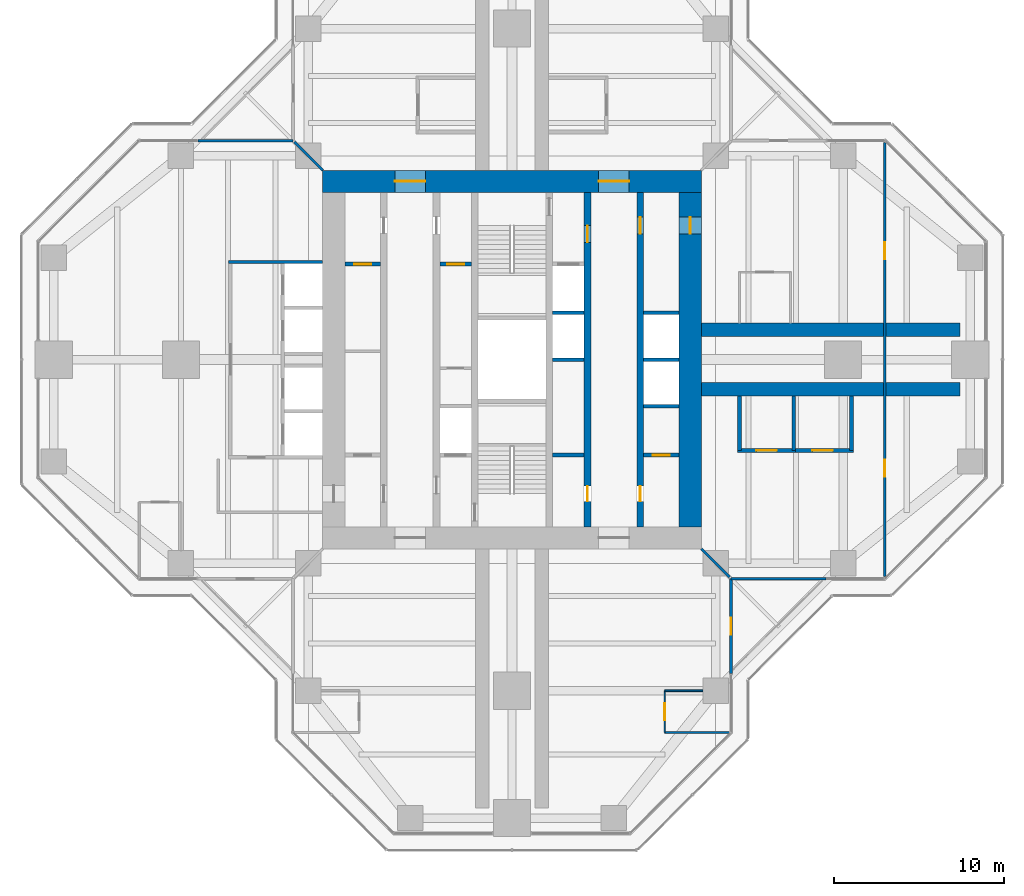
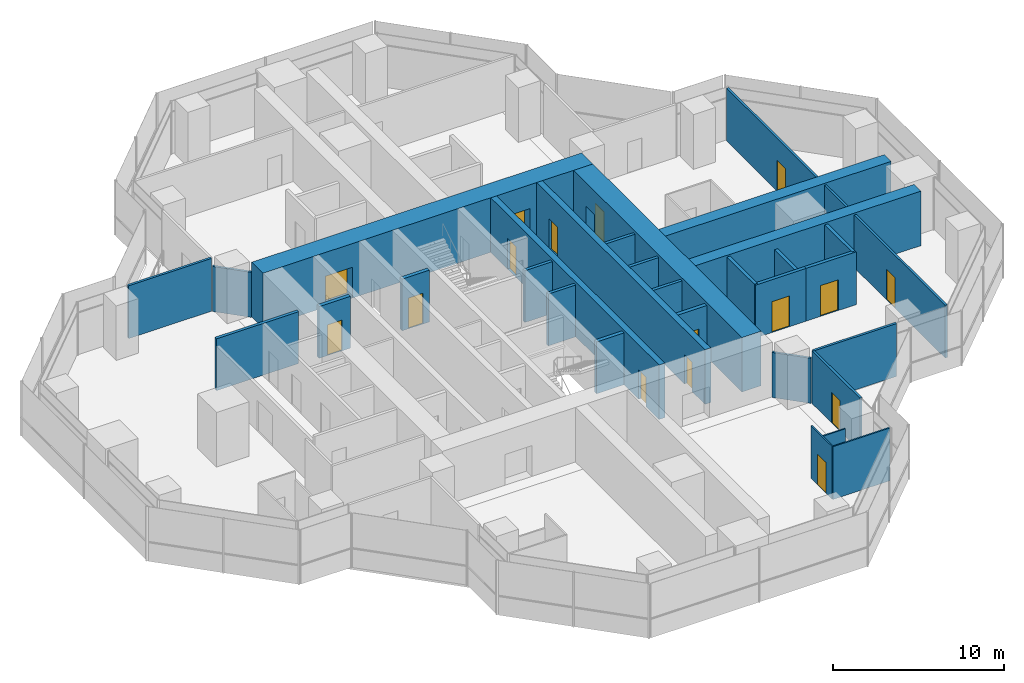
# One storey, part 14 of 17: 30 walls, 16 doors, 16 openings.
"""IFC4 building model written with IfcOpenShell, lengths in metres."""

import ifcopenshell
import ifcopenshell.guid

model = None  # the IFC model being written
_history = None  # IfcOwnerHistory: only IFC2X3 demands one
_inside = {}  # id of a spatial element -> (the spatial element, [elements in it])
_under = {}  # id of a project, library or spatial element -> (it, [spatial elements below it])
_declared = {}  # id of a project -> (the project, [libraries it declares])
_typed = {}  # id of a type object -> (the type object, [elements of that type])
_made_of = {}  # id of a material, layer set ... -> (it, [elements and type objects made of it])


def new_model(schema):
    """Start an empty IFC model of exactly this schema.

    Asked for "IFC4X3", IfcOpenShell would pick the latest addendum, in which some entities
    have other attributes; the version numbers below select the first issue.
    IFC2X3 requires an IfcOwnerHistory on every rooted entity: one is made here for all.
    """
    global model, _history
    if schema == "IFC4X3":
        model = ifcopenshell.file(schema_version=(4, 3, 0, 0))
    else:
        model = ifcopenshell.file(schema=schema)
    _inside.clear()
    _under.clear()
    _declared.clear()
    _typed.clear()
    _made_of.clear()
    _history = None
    if model.schema == "IFC2X3":
        org = make("IfcOrganization", Name="unknown")
        user = make(
            "IfcPersonAndOrganization",
            ThePerson=make("IfcPerson", FamilyName="unknown"),
            TheOrganization=org,
        )
        app = make(
            "IfcApplication",
            ApplicationDeveloper=org,
            Version="unknown",
            ApplicationFullName="unknown",
            ApplicationIdentifier="unknown",
        )
        _history = make(
            "IfcOwnerHistory",
            OwningUser=user,
            OwningApplication=app,
            ChangeAction="ADDED",
            CreationDate=0,
        )
    return model


def make(cls, **values):
    """One entity of the class cls with the attributes given. An attribute that is None is left unset."""
    return model.create_entity(
        cls, **{name: value for name, value in values.items() if value is not None}
    )


def rooted(cls, **values):
    """An entity with a GlobalId (a new one), such as an element, a storey or a relation."""
    return make(cls, GlobalId=ifcopenshell.guid.new(), OwnerHistory=_history, **values)


def si_unit(unit_type, name, prefix=None):
    """IfcSIUnit, for example si_unit("LENGTHUNIT", "METRE", prefix="MILLI")."""
    return make("IfcSIUnit", UnitType=unit_type, Prefix=prefix, Name=name)


def assignment(units):
    """IfcUnitAssignment: the units of a project."""
    return None if units is None else make("IfcUnitAssignment", Units=units)


def point(xyz):
    """IfcCartesianPoint."""
    return None if xyz is None else make("IfcCartesianPoint", Coordinates=xyz)


def direction(xyz):
    """IfcDirection."""
    return None if xyz is None else make("IfcDirection", DirectionRatios=xyz)


def frame(location, z_axis=None, x_axis=None):
    """IfcAxis2Placement3D, a coordinate frame: its origin and axes. An axis left out is left unset."""
    return make(
        "IfcAxis2Placement3D",
        Location=point(location),
        Axis=direction(z_axis),
        RefDirection=direction(x_axis),
    )


def frame_2d(location, x_axis=None):
    """IfcAxis2Placement2D, a coordinate frame in the plane: its origin and x axis."""
    return make(
        "IfcAxis2Placement2D", Location=point(location), RefDirection=direction(x_axis)
    )


def origin():
    """The frame at (0, 0, 0) with its axes left unset."""
    return frame((0.0, 0.0, 0.0))


def place(relative_to, where):
    """IfcLocalPlacement: puts the frame where relative to a parent placement (None: the world)."""
    return make(
        "IfcLocalPlacement", PlacementRelTo=relative_to, RelativePlacement=where
    )


def context(
    kind, dimensions, precision=None, world=None, true_north=None, identifier=None
):
    """IfcGeometricRepresentationContext, for example the 3D "Model" context."""
    return make(
        "IfcGeometricRepresentationContext",
        ContextIdentifier=identifier,
        ContextType=kind,
        CoordinateSpaceDimension=dimensions,
        Precision=precision,
        WorldCoordinateSystem=world,
        TrueNorth=true_north,
    )


def subcontext(parent, identifier, kind, view, scale=None):
    """IfcGeometricRepresentationSubContext, for example "Body" below "Model"."""
    return make(
        "IfcGeometricRepresentationSubContext",
        ContextIdentifier=identifier,
        ContextType=kind,
        ParentContext=parent,
        TargetScale=scale,
        TargetView=view,
    )


def project(units=None, contexts=None):
    """IfcProject with its units and contexts."""
    return rooted(
        "IfcProject",
        Name="project",
        RepresentationContexts=contexts,
        UnitsInContext=assignment(units),
    )


def spatial(cls, under=None, at=None, **own):
    """A site, building, storey or space (cls), placed at a placement, below another one or the project."""
    s = rooted(cls, ObjectPlacement=at, **own)
    if under is not None:
        _under.setdefault(under.id(), (under, []))[1].append(s)
    return s


def profile(cls, at=None, kind="AREA", **sizes):
    """A parametric profile (cls). Its sizes go by their IFC names, for example OverallWidth=200.0."""
    return make(cls, ProfileType=kind, Position=at, **sizes)


def rectangle(**sizes):
    """IfcRectangleProfileDef."""
    return profile("IfcRectangleProfileDef", **sizes)


def extrude(swept, where, along, depth):
    """IfcExtrudedAreaSolid: the profile swept, set in the frame where, extruded along a direction by depth."""
    return make(
        "IfcExtrudedAreaSolid",
        SweptArea=swept,
        Position=where,
        ExtrudedDirection=direction(along),
        Depth=depth,
    )


def shape(context_of_items, identifier, shape_type, items):
    """IfcShapeRepresentation: the items that make up one representation, for example the "Body"."""
    return make(
        "IfcShapeRepresentation",
        ContextOfItems=context_of_items,
        RepresentationIdentifier=identifier,
        RepresentationType=shape_type,
        Items=items,
    )


def material(Name=None, Category=None):
    """IfcMaterial."""
    return make("IfcMaterial", Name=Name, Category=Category)


def layer(
    of_material, thickness, ventilated=None, Name=None, Category=None, Priority=None
):
    """IfcMaterialLayer: one layer of a wall or slab, of a material (None: an air gap)."""
    return make(
        "IfcMaterialLayer",
        Material=of_material,
        LayerThickness=thickness,
        IsVentilated=ventilated,
        Name=Name,
        Category=Category,
        Priority=Priority,
    )


def layer_set(layers, Name=None):
    """IfcMaterialLayerSet."""
    return make("IfcMaterialLayerSet", MaterialLayers=layers, LayerSetName=Name)


def made_of(thing, what):
    """Note that an element or type object is made of a material, layer set ...; save() writes the relation."""
    if what is not None:
        _made_of.setdefault(what.id(), (what, []))[1].append(thing)
    return thing


def type_object(cls, material=None, **own):
    """A type object (cls), such as IfcWallType, which elements share."""
    return made_of(rooted(cls, **own), material)


def element(
    cls,
    number,
    at=None,
    inside=None,
    cuts=None,
    type_object=None,
    material=None,
    context=None,
    identifier="Body",
    shape_type=None,
    held_by="IfcProductDefinitionShape",
    body=None,
    shapes=None,
    **own,
):
    """One element of the class cls, such as IfcWall. Its Tag is "e" and its number.

    at: its placement. inside: the storey or other place that contains it. cuts: it is an
    opening in that element (IfcRelVoidsElement). A single representation is given by context,
    identifier, shape_type and body (its items); several are given by shapes. held_by: the class
    of the entity that holds the representations. save() writes the other relations.
    """
    e = rooted(cls, Tag="e%d" % number, ObjectPlacement=at, **own)
    if body is not None:
        shapes = [shape(context, identifier, shape_type, body)]
    if shapes is not None:
        e.Representation = make(held_by, Representations=shapes)
    if inside is not None:
        _inside.setdefault(inside.id(), (inside, []))[1].append(e)
    if cuts is not None:
        rooted(
            "IfcRelVoidsElement", RelatingBuildingElement=cuts, RelatedOpeningElement=e
        )
    if type_object is not None:
        _typed.setdefault(type_object.id(), (type_object, []))[1].append(e)
    return made_of(e, material)


def fill(opening, filler):
    """IfcRelFillsElement: the door or window that sits in an opening."""
    return rooted(
        "IfcRelFillsElement",
        RelatingOpeningElement=opening,
        RelatedBuildingElement=filler,
    )


def aggregate(whole, parts):
    """IfcRelAggregates: a whole, such as a stair, and the parts it consists of."""
    return rooted("IfcRelAggregates", RelatingObject=whole, RelatedObjects=parts)


def save(model, path):
    """Write the relations noted so far, then the file.

    IfcRelAggregates (storeys below a building ...), IfcRelContainedInSpatialStructure (elements
    in a storey), IfcRelDefinesByType, IfcRelAssociatesMaterial and IfcRelDeclares: one each for
    every whole, place, type object, material and project.
    """
    for whole, parts in _under.values():
        aggregate(whole, parts)
    for where, things in _inside.values():
        rooted(
            "IfcRelContainedInSpatialStructure",
            RelatedElements=things,
            RelatingStructure=where,
        )
    for kind, things in _typed.values():
        rooted("IfcRelDefinesByType", RelatedObjects=things, RelatingType=kind)
    for what, things in _made_of.values():
        rooted("IfcRelAssociatesMaterial", RelatedObjects=things, RelatingMaterial=what)
    for by, libraries in _declared.values():
        rooted("IfcRelDeclares", RelatingContext=by, RelatedDefinitions=libraries)
    model.write(path)


model = new_model("IFC4")

# Units and contexts
model_context = context("Model", 3, precision=1e-05, world=origin(), true_north=direction((0.0, 1.0)))
body_context = subcontext(model_context, "Body", "Model", "MODEL_VIEW")
ifc_project = project(units=[si_unit("LENGTHUNIT", "METRE"), si_unit("AREAUNIT", "SQUARE_METRE"), si_unit("VOLUMEUNIT", "CUBIC_METRE"), si_unit("PLANEANGLEUNIT", "RADIAN"), si_unit("MASSUNIT", "GRAM", prefix="KILO")], contexts=[model_context])

# Site, building, storey
site_placement = place(None, origin())
site = spatial("IfcSite", under=ifc_project, at=site_placement, CompositionType="ELEMENT")
building_placement = place(site_placement, origin())
building = spatial("IfcBuilding", under=site, at=building_placement, Name="Mizan Broadcast Tower", CompositionType="ELEMENT")
storey_placement = place(building_placement, frame((0.0, 0.0, 236.10009765625)))
storey = spatial("IfcBuildingStorey", under=building, at=storey_placement, Name="L55", CompositionType="ELEMENT", Elevation=236.10009765625)

# Wall, openings, doors
ifc_material_1 = material(Name="Concrete C70/85", Category="concrete")
ifc_layer_1 = layer(ifc_material_1, 0.39990234375)
ifc_layer_set_1 = layer_set([ifc_layer_1], Name="Concrete C70/85")
wall_type_1 = type_object("IfcWallType", Name="CORE INTERNAL WALL 400", PredefinedType="SHEAR", material=ifc_layer_set_1)
wall_1_placement = place(storey_placement, frame((7.550048828125, 9.85009765625, 0.0), z_axis=(0.0, 0.0, 1.0), x_axis=(0.0, -1.0, 0.0)))
wall_1 = element("IfcWall", 1, at=wall_1_placement, inside=storey, type_object=wall_type_1, Name="Core wall CORE/XW1E", PredefinedType="SHEAR", context=body_context, shape_type="SweptSolid", body=[
    extrude(rectangle(XDim=19.7001953125, YDim=0.39990234375, at=frame_2d((9.85009765625, 0.0))), origin(), (0.0, 0.0, 1.0), 3.89990234375),
])
opening_1_placement = place(wall_1_placement, frame((1.449951171875, 0.0, 0.0)))
opening_1 = element("IfcOpeningElement", 2, at=opening_1_placement, cuts=wall_1, Name="Opening D10F", PredefinedType="OPENING", context=body_context, shape_type="SweptSolid", body=[
    extrude(rectangle(XDim=1.0, YDim=2.199951171875, at=frame_2d((0.5, 1.10009765625))), frame((0.0, 0.2099609375, 0.0), z_axis=(0.0, -1.0, 0.0), x_axis=(1.0, 0.0, 0.0)), (0.0, 0.0, 1.0), 0.419921875),
])
opening_2_placement = place(wall_1_placement, frame((17.300048828125, 0.0, 0.0)))
opening_2 = element("IfcOpeningElement", 3, at=opening_2_placement, cuts=wall_1, Name="Opening D09", PredefinedType="OPENING", context=body_context, shape_type="SweptSolid", body=[
    extrude(rectangle(XDim=0.89990234375, YDim=2.10009765625, at=frame_2d((0.449951171875, 1.050048828125))), frame((0.0, 0.2099609375, 0.0), z_axis=(0.0, -1.0, 0.0), x_axis=(1.0, 0.0, 0.0)), (0.0, 0.0, 1.0), 0.419921875),
])
ifc_material_2 = material(Name="Steel door leaf in steel frame", Category="steel")
door_type_1 = type_object("IfcDoorType", Name="FIRE DOOR 1000 FD90", OperationType="SINGLE_SWING_LEFT", PredefinedType="DOOR", material=ifc_material_2)
door_1_placement = place(opening_1_placement, origin())
door_1 = element("IfcDoor", 4, at=door_1_placement, inside=storey, type_object=door_type_1, Name="East core passage door", OperationType="SINGLE_SWING_LEFT", OverallHeight=2.199951171875, OverallWidth=1.0, PredefinedType="DOOR", context=body_context, shape_type="SweptSolid", body=[
    extrude(rectangle(XDim=1.0, YDim=2.199951171875, at=frame_2d((0.5, 1.10009765625))), frame((0.0, 0.02490234375, 0.0), z_axis=(0.0, -1.0, 0.0), x_axis=(1.0, 0.0, 0.0)), (0.0, 0.0, 1.0), 0.050048828125),
])
fill(opening_1, door_1)
ifc_material_3 = material(Name="Timber door leaf in aluminium frame", Category="wood")
door_type_2 = type_object("IfcDoorType", Name="TOILET DOOR 900", OperationType="SINGLE_SWING_LEFT", PredefinedType="DOOR", material=ifc_material_3)
door_2_placement = place(opening_2_placement, origin())
door_2 = element("IfcDoor", 5, at=door_2_placement, inside=storey, type_object=door_type_2, Name="Female WC door", OperationType="SINGLE_SWING_RIGHT", OverallHeight=2.10009765625, OverallWidth=0.89990234375, PredefinedType="DOOR", context=body_context, shape_type="SweptSolid", body=[
    extrude(rectangle(XDim=0.89990234375, YDim=2.10009765625, at=frame_2d((0.449951171875, 1.050048828125))), frame((0.0, 0.02490234375, 0.0), z_axis=(0.0, -1.0, 0.0), x_axis=(1.0, 0.0, 0.0)), (0.0, 0.0, 1.0), 0.050048828125),
])
fill(opening_2, door_2)

wall_2_placement = place(storey_placement, frame((4.449951171875, 9.85009765625, 0.0), z_axis=(0.0, 0.0, 1.0), x_axis=(0.0, -1.0, 0.0)))
wall_2 = element("IfcWall", 6, at=wall_2_placement, inside=storey, type_object=wall_type_1, Name="Core wall CORE/XWHE", PredefinedType="SHEAR", context=body_context, shape_type="SweptSolid", body=[
    extrude(rectangle(XDim=19.7001953125, YDim=0.39990234375, at=frame_2d((9.85009765625, 0.0))), origin(), (0.0, 0.0, 1.0), 3.89990234375),
])
opening_3_placement = place(wall_2_placement, frame((1.949951171875, 0.0, 0.0)))
opening_3 = element("IfcOpeningElement", 7, at=opening_3_placement, cuts=wall_2, Name="Opening D10F", PredefinedType="OPENING", context=body_context, shape_type="SweptSolid", body=[
    extrude(rectangle(XDim=1.0, YDim=2.199951171875, at=frame_2d((0.5, 1.10009765625))), frame((0.0, 0.2099609375, 0.0), z_axis=(0.0, -1.0, 0.0), x_axis=(1.0, 0.0, 0.0)), (0.0, 0.0, 1.0), 0.419921875),
])
opening_4_placement = place(wall_2_placement, frame((17.300048828125, 0.0, 0.0)))
opening_4 = element("IfcOpeningElement", 8, at=opening_4_placement, cuts=wall_2, Name="Opening D09", PredefinedType="OPENING", context=body_context, shape_type="SweptSolid", body=[
    extrude(rectangle(XDim=0.89990234375, YDim=2.10009765625, at=frame_2d((0.449951171875, 1.050048828125))), frame((0.0, 0.2099609375, 0.0), z_axis=(0.0, -1.0, 0.0), x_axis=(1.0, 0.0, 0.0)), (0.0, 0.0, 1.0), 0.419921875),
])
door_3_placement = place(opening_3_placement, origin())
door_3 = element("IfcDoor", 9, at=door_3_placement, inside=storey, type_object=door_type_1, Name="Firefighting lobby B door", OperationType="SINGLE_SWING_LEFT", OverallHeight=2.199951171875, OverallWidth=1.0, PredefinedType="DOOR", context=body_context, shape_type="SweptSolid", body=[
    extrude(rectangle(XDim=1.0, YDim=2.199951171875, at=frame_2d((0.5, 1.10009765625))), frame((0.0, 0.02490234375, 0.0), z_axis=(0.0, -1.0, 0.0), x_axis=(1.0, 0.0, 0.0)), (0.0, 0.0, 1.0), 0.050048828125),
])
fill(opening_3, door_3)
door_4_placement = place(opening_4_placement, origin())
door_4 = element("IfcDoor", 10, at=door_4_placement, inside=storey, type_object=door_type_2, Name="Cleaner's store door", OperationType="SINGLE_SWING_RIGHT", OverallHeight=2.10009765625, OverallWidth=0.89990234375, PredefinedType="DOOR", context=body_context, shape_type="SweptSolid", body=[
    extrude(rectangle(XDim=0.89990234375, YDim=2.10009765625, at=frame_2d((0.449951171875, 1.050048828125))), frame((0.0, 0.02490234375, 0.0), z_axis=(0.0, -1.0, 0.0), x_axis=(1.0, 0.0, 0.0)), (0.0, 0.0, 1.0), 0.050048828125),
])
fill(opening_4, door_4)

ifc_material_4 = material(Name="Concrete C70/85", Category="concrete")
ifc_layer_2 = layer(ifc_material_4, 1.300048828125)
ifc_layer_set_2 = layer_set([ifc_layer_2], Name="Concrete C70/85")
wall_type_2 = type_object("IfcWallType", Name="CORE WALL 1300", PredefinedType="SHEAR", material=ifc_layer_set_2)
wall_3_placement = place(storey_placement, frame((-11.14990234375, 10.5, 0.0), z_axis=(0.0, 0.0, 1.0), x_axis=(1.0, 0.0, 0.0)))
wall_3 = element("IfcWall", 11, at=wall_3_placement, inside=storey, type_object=wall_type_2, Name="Core wall N L55", PredefinedType="SHEAR", context=body_context, shape_type="SweptSolid", body=[
    extrude(rectangle(XDim=22.2998046875, YDim=1.300048828125, at=frame_2d((11.14990234375, 0.0))), origin(), (0.0, 0.0, 1.0), 3.89990234375),
])
opening_5_placement = place(wall_3_placement, frame((4.25, 0.0, 0.0)))
opening_5 = element("IfcOpeningElement", 12, at=opening_5_placement, cuts=wall_3, Name="Opening D18F", PredefinedType="OPENING", context=body_context, shape_type="SweptSolid", body=[
    extrude(rectangle(XDim=1.800048828125, YDim=2.199951171875, at=frame_2d((0.89990234375, 1.10009765625))), frame((0.0, 0.659912109375, 0.0), z_axis=(0.0, -1.0, 0.0), x_axis=(1.0, 0.0, 0.0)), (0.0, 0.0, 1.0), 1.320068359375),
])
opening_6_placement = place(wall_3_placement, frame((16.25, 0.0, 0.0)))
opening_6 = element("IfcOpeningElement", 13, at=opening_6_placement, cuts=wall_3, Name="Opening D18F", PredefinedType="OPENING", context=body_context, shape_type="SweptSolid", body=[
    extrude(rectangle(XDim=1.800048828125, YDim=2.199951171875, at=frame_2d((0.89990234375, 1.10009765625))), frame((0.0, 0.659912109375, 0.0), z_axis=(0.0, -1.0, 0.0), x_axis=(1.0, 0.0, 0.0)), (0.0, 0.0, 1.0), 1.320068359375),
])
ifc_material_5 = material(Name="Steel door leaf in steel frame", Category="steel")
door_type_3 = type_object("IfcDoorType", Name="LOBBY DOUBLE DOOR 1800 FD90", OperationType="DOUBLE_DOOR_DOUBLE_SWING", PredefinedType="DOOR", material=ifc_material_5)
door_5_placement = place(opening_5_placement, origin())
door_5 = element("IfcDoor", 14, at=door_5_placement, inside=storey, type_object=door_type_3, Name="West lift lobby north door", OperationType="DOUBLE_DOOR_DOUBLE_SWING", OverallHeight=2.199951171875, OverallWidth=1.800048828125, PredefinedType="DOOR", context=body_context, shape_type="SweptSolid", body=[
    extrude(rectangle(XDim=1.800048828125, YDim=2.199951171875, at=frame_2d((0.89990234375, 1.10009765625))), frame((0.0, 0.02490234375, 0.0), z_axis=(0.0, -1.0, 0.0), x_axis=(1.0, 0.0, 0.0)), (0.0, 0.0, 1.0), 0.050048828125),
])
fill(opening_5, door_5)
door_6_placement = place(opening_6_placement, origin())
door_6 = element("IfcDoor", 15, at=door_6_placement, inside=storey, type_object=door_type_3, Name="East lift lobby north door", OperationType="DOUBLE_DOOR_DOUBLE_SWING", OverallHeight=2.199951171875, OverallWidth=1.800048828125, PredefinedType="DOOR", context=body_context, shape_type="SweptSolid", body=[
    extrude(rectangle(XDim=1.800048828125, YDim=2.199951171875, at=frame_2d((0.89990234375, 1.10009765625))), frame((0.0, 0.02490234375, 0.0), z_axis=(0.0, -1.0, 0.0), x_axis=(1.0, 0.0, 0.0)), (0.0, 0.0, 1.0), 0.050048828125),
])
fill(opening_6, door_6)

# Wall, opening, door
wall_4_placement = place(storey_placement, frame((10.5, -9.85009765625, 0.0), z_axis=(0.0, 0.0, 1.0), x_axis=(0.0, 1.0, 0.0)))
wall_4 = element("IfcWall", 16, at=wall_4_placement, inside=storey, type_object=wall_type_2, Name="Core wall E L55", PredefinedType="SHEAR", context=body_context, shape_type="SweptSolid", body=[
    extrude(rectangle(XDim=19.7001953125, YDim=1.300048828125, at=frame_2d((9.85009765625, 0.0))), origin(), (0.0, 0.0, 1.0), 3.89990234375),
])
opening_7_placement = place(wall_4_placement, frame((17.25, 0.0, 0.0)))
opening_7 = element("IfcOpeningElement", 17, at=opening_7_placement, cuts=wall_4, Name="Opening D10F", PredefinedType="OPENING", context=body_context, shape_type="SweptSolid", body=[
    extrude(rectangle(XDim=1.0, YDim=2.199951171875, at=frame_2d((0.5, 1.10009765625))), frame((0.0, 0.659912109375, 0.0), z_axis=(0.0, -1.0, 0.0), x_axis=(1.0, 0.0, 0.0)), (0.0, 0.0, 1.0), 1.320068359375),
])
door_7_placement = place(opening_7_placement, origin())
door_7 = element("IfcDoor", 18, at=door_7_placement, inside=storey, type_object=door_type_1, Name="East core passage arm door", OperationType="SINGLE_SWING_RIGHT", OverallHeight=2.199951171875, OverallWidth=1.0, PredefinedType="DOOR", context=body_context, shape_type="SweptSolid", body=[
    extrude(rectangle(XDim=1.0, YDim=2.199951171875, at=frame_2d((0.5, 1.10009765625))), frame((0.0, 0.02490234375, 0.0), z_axis=(0.0, -1.0, 0.0), x_axis=(1.0, 0.0, 0.0)), (0.0, 0.0, 1.0), 0.050048828125),
])
fill(opening_7, door_7)

# Walls
ifc_material_6 = material(Name="Aluminium framed glazed screen", Category="aluminium")
ifc_layer_3 = layer(ifc_material_6, 0.159912109375)
ifc_layer_set_3 = layer_set([ifc_layer_3], Name="Aluminium framed glazed screen")
wall_type_3 = type_object("IfcWallType", Name="GLAZED SCREEN WALL 160", PredefinedType="SOLIDWALL", material=ifc_layer_set_3)
for number, where, z_axis, x_axis, name in (
    (19, (12.89990234375, -12.89990234375, 0.0), (0.0, 0.0, 1.0), (1.0, 0.0, 0.0), "Winter garden screen L55 E"),
    (20, (-12.89990234375, 12.89990234375, 0.0), (0.0, 0.0, 1.0), (-1.0, 0.0, 0.0), "Winter garden screen L55 W"),
):
    element("IfcWall", number, at=place(storey_placement, frame(where, z_axis=z_axis, x_axis=x_axis)), inside=storey, type_object=wall_type_3, Name=name, PredefinedType="SOLIDWALL", context=body_context, shape_type="SweptSolid", body=[
        extrude(rectangle(XDim=5.60009765625, YDim=0.159912109375, at=frame_2d((2.800048828125, 0.0))), origin(), (0.0, 0.0, 1.0), 3.77001953125),
    ])

# Wall, opening, door
wall_5_placement = place(storey_placement, frame((12.89990234375, -18.5, 0.0), z_axis=(0.0, 0.0, 1.0), x_axis=(0.0, 1.0, 0.0)))
wall_5 = element("IfcWall", 21, at=wall_5_placement, inside=storey, type_object=wall_type_3, Name="Winter garden screen L55 S", PredefinedType="SOLIDWALL", context=body_context, shape_type="SweptSolid", body=[
    extrude(rectangle(XDim=5.60009765625, YDim=0.159912109375, at=frame_2d((2.800048828125, 0.0))), origin(), (0.0, 0.0, 1.0), 3.77001953125),
])
opening_8_placement = place(wall_5_placement, frame((2.300048828125, 0.0, 0.0)))
opening_8 = element("IfcOpeningElement", 22, at=opening_8_placement, cuts=wall_5, Name="Opening WGD", PredefinedType="OPENING", context=body_context, shape_type="SweptSolid", body=[
    extrude(rectangle(XDim=1.0, YDim=2.199951171875, at=frame_2d((0.5, 1.10009765625))), frame((0.0, 0.08984375, 0.0), z_axis=(0.0, -1.0, 0.0), x_axis=(1.0, 0.0, 0.0)), (0.0, 0.0, 1.0), 0.179931640625),
])
ifc_material_7 = material(Name="Aluminium framed glazed door", Category="aluminium")
door_type_4 = type_object("IfcDoorType", Name="WINTER GARDEN DOOR 1000 GLAZED", OperationType="SINGLE_SWING_LEFT", PredefinedType="DOOR", material=ifc_material_7)
door_8_placement = place(opening_8_placement, origin())
door_8 = element("IfcDoor", 23, at=door_8_placement, inside=storey, type_object=door_type_4, Name="Winter garden door L55 S", OperationType="SINGLE_SWING_RIGHT", OverallHeight=2.199951171875, OverallWidth=1.0, PredefinedType="DOOR", context=body_context, shape_type="SweptSolid", body=[
    extrude(rectangle(XDim=1.0, YDim=2.199951171875, at=frame_2d((0.5, 1.10009765625))), frame((0.0, 0.02490234375, 0.0), z_axis=(0.0, -1.0, 0.0), x_axis=(1.0, 0.0, 0.0)), (0.0, 0.0, 1.0), 0.050048828125),
])
fill(opening_8, door_8)

# Walls
ifc_material_8 = material(Name="Concrete blockwork", Category="masonry")
ifc_layer_4 = layer(ifc_material_8, 0.199951171875)
ifc_layer_set_4 = layer_set([ifc_layer_4], Name="Concrete blockwork")
wall_type_4 = type_object("IfcWallType", Name="LIFT SHAFT WALL 200", PredefinedType="SOLIDWALL", material=ifc_layer_set_4)
wall_6_placement = place(storey_placement, frame((7.75, -2.75, 0.0), z_axis=(0.0, 0.0, 1.0), x_axis=(1.0, 0.0, 0.0)))
element("IfcWall", 24, at=wall_6_placement, inside=storey, type_object=wall_type_4, Name="Lift shaft wall CORE/SE1-1", PredefinedType="SOLIDWALL", context=body_context, shape_type="SweptSolid", body=[
    extrude(rectangle(XDim=2.10009765625, YDim=0.199951171875, at=frame_2d((1.050048828125, 0.0))), origin(), (0.0, 0.0, 1.0), 3.699951171875),
])
wall_7_placement = place(storey_placement, frame((2.39990234375, 0.0, 0.0), z_axis=(0.0, 0.0, 1.0), x_axis=(1.0, 0.0, 0.0)))
element("IfcWall", 25, at=wall_7_placement, inside=storey, type_object=wall_type_4, Name="Lift shaft wall CORE/SE2-2", PredefinedType="SOLIDWALL", context=body_context, shape_type="SweptSolid", body=[
    extrude(rectangle(XDim=1.85009765625, YDim=0.199951171875, at=frame_2d((0.925048828125, 0.0))), origin(), (0.0, 0.0, 1.0), 3.699951171875),
])
wall_8_placement = place(storey_placement, frame((7.75, 0.0, 0.0), z_axis=(0.0, 0.0, 1.0), x_axis=(1.0, 0.0, 0.0)))
element("IfcWall", 26, at=wall_8_placement, inside=storey, type_object=wall_type_4, Name="Lift shaft wall CORE/SE1-2", PredefinedType="SOLIDWALL", context=body_context, shape_type="SweptSolid", body=[
    extrude(rectangle(XDim=2.10009765625, YDim=0.199951171875, at=frame_2d((1.050048828125, 0.0))), origin(), (0.0, 0.0, 1.0), 3.699951171875),
])
wall_9_placement = place(storey_placement, frame((2.39990234375, 2.75, 0.0), z_axis=(0.0, 0.0, 1.0), x_axis=(1.0, 0.0, 0.0)))
element("IfcWall", 27, at=wall_9_placement, inside=storey, type_object=wall_type_4, Name="Lift shaft wall CORE/SE2-3", PredefinedType="SOLIDWALL", context=body_context, shape_type="SweptSolid", body=[
    extrude(rectangle(XDim=1.85009765625, YDim=0.199951171875, at=frame_2d((0.925048828125, 0.0))), origin(), (0.0, 0.0, 1.0), 3.699951171875),
])
wall_10_placement = place(storey_placement, frame((7.75, 2.75, 0.0), z_axis=(0.0, 0.0, 1.0), x_axis=(1.0, 0.0, 0.0)))
element("IfcWall", 28, at=wall_10_placement, inside=storey, type_object=wall_type_4, Name="Lift shaft wall CORE/SE1-3", PredefinedType="SOLIDWALL", context=body_context, shape_type="SweptSolid", body=[
    extrude(rectangle(XDim=2.10009765625, YDim=0.199951171875, at=frame_2d((1.050048828125, 0.0))), origin(), (0.0, 0.0, 1.0), 3.699951171875),
])
wall_11_placement = place(storey_placement, frame((-11.14990234375, 5.75, 0.0), z_axis=(0.0, 0.0, 1.0), x_axis=(-1.0, 0.0, 0.0)))
element("IfcWall", 29, at=wall_11_placement, inside=storey, type_object=wall_type_4, Name="Lift shaft wall LC/S1", PredefinedType="SOLIDWALL", context=body_context, shape_type="SweptSolid", body=[
    extrude(rectangle(XDim=5.550048828125, YDim=0.199951171875, at=frame_2d((2.77490234375, 0.0))), origin(), (0.0, 0.0, 1.0), 3.699951171875),
])

# Wall, opening, door
ifc_material_9 = material(Name="Concrete blockwork", Category="masonry")
ifc_layer_5 = layer(ifc_material_9, 0.25)
ifc_layer_set_5 = layer_set([ifc_layer_5], Name="Concrete blockwork")
wall_type_5 = type_object("IfcWallType", Name="LOBBY ENCLOSURE WALL 250", PredefinedType="SOLIDWALL", material=ifc_layer_set_5)
wall_12_placement = place(storey_placement, frame((-9.85009765625, 5.625, 0.0), z_axis=(0.0, 0.0, 1.0), x_axis=(1.0, 0.0, 0.0)))
wall_12 = element("IfcWall", 30, at=wall_12_placement, inside=storey, type_object=wall_type_5, Name="Lobby enclosure wall CORE/BW1N", PredefinedType="SOLIDWALL", context=body_context, shape_type="SweptSolid", body=[
    extrude(rectangle(XDim=2.10009765625, YDim=0.25, at=frame_2d((1.050048828125, 0.0))), origin(), (0.0, 0.0, 1.0), 3.699951171875),
])
opening_9_placement = place(wall_12_placement, frame((0.550048828125, 0.0, 0.0)))
opening_9 = element("IfcOpeningElement", 31, at=opening_9_placement, cuts=wall_12, Name="Opening D10F", PredefinedType="OPENING", context=body_context, shape_type="SweptSolid", body=[
    extrude(rectangle(XDim=1.0, YDim=2.199951171875, at=frame_2d((0.5, 1.10009765625))), frame((0.0, 0.135009765625, 0.0), z_axis=(0.0, -1.0, 0.0), x_axis=(1.0, 0.0, 0.0)), (0.0, 0.0, 1.0), 0.27001953125),
])
door_9_placement = place(opening_9_placement, origin())
door_9 = element("IfcDoor", 32, at=door_9_placement, inside=storey, type_object=door_type_1, Name="Male staff shower room door", OperationType="SINGLE_SWING_RIGHT", OverallHeight=2.199951171875, OverallWidth=1.0, PredefinedType="DOOR", context=body_context, shape_type="SweptSolid", body=[
    extrude(rectangle(XDim=1.0, YDim=2.199951171875, at=frame_2d((0.5, 1.10009765625))), frame((0.0, 0.02490234375, 0.0), z_axis=(0.0, -1.0, 0.0), x_axis=(1.0, 0.0, 0.0)), (0.0, 0.0, 1.0), 0.050048828125),
])
fill(opening_9, door_9)

wall_13_placement = place(storey_placement, frame((-4.25, 5.625, 0.0), z_axis=(0.0, 0.0, 1.0), x_axis=(1.0, 0.0, 0.0)))
wall_13 = element("IfcWall", 33, at=wall_13_placement, inside=storey, type_object=wall_type_5, Name="Lobby enclosure wall CORE/BW2N", PredefinedType="SOLIDWALL", context=body_context, shape_type="SweptSolid", body=[
    extrude(rectangle(XDim=1.85009765625, YDim=0.25, at=frame_2d((0.925048828125, 0.0))), origin(), (0.0, 0.0, 1.0), 3.699951171875),
])
opening_10_placement = place(wall_13_placement, frame((0.425048828125, 0.0, 0.0)))
opening_10 = element("IfcOpeningElement", 34, at=opening_10_placement, cuts=wall_13, Name="Opening D10F", PredefinedType="OPENING", context=body_context, shape_type="SweptSolid", body=[
    extrude(rectangle(XDim=1.0, YDim=2.199951171875, at=frame_2d((0.5, 1.10009765625))), frame((0.0, 0.135009765625, 0.0), z_axis=(0.0, -1.0, 0.0), x_axis=(1.0, 0.0, 0.0)), (0.0, 0.0, 1.0), 0.27001953125),
])
door_10_placement = place(opening_10_placement, origin())
door_10 = element("IfcDoor", 35, at=door_10_placement, inside=storey, type_object=door_type_1, Name="Accessible shower room door", OperationType="SINGLE_SWING_RIGHT", OverallHeight=2.199951171875, OverallWidth=1.0, PredefinedType="DOOR", context=body_context, shape_type="SweptSolid", body=[
    extrude(rectangle(XDim=1.0, YDim=2.199951171875, at=frame_2d((0.5, 1.10009765625))), frame((0.0, 0.02490234375, 0.0), z_axis=(0.0, -1.0, 0.0), x_axis=(1.0, 0.0, 0.0)), (0.0, 0.0, 1.0), 0.050048828125),
])
fill(opening_10, door_10)

# Wall
wall_14_placement = place(storey_placement, frame((2.39990234375, -5.625, 0.0), z_axis=(0.0, 0.0, 1.0), x_axis=(1.0, 0.0, 0.0)))
element("IfcWall", 36, at=wall_14_placement, inside=storey, type_object=wall_type_5, Name="Lobby enclosure wall CORE/BE2S", PredefinedType="SOLIDWALL", context=body_context, shape_type="SweptSolid", body=[
    extrude(rectangle(XDim=1.85009765625, YDim=0.25, at=frame_2d((0.925048828125, 0.0))), origin(), (0.0, 0.0, 1.0), 3.699951171875),
])

# Wall, opening, door
wall_15_placement = place(storey_placement, frame((7.75, -5.625, 0.0), z_axis=(0.0, 0.0, 1.0), x_axis=(1.0, 0.0, 0.0)))
wall_15 = element("IfcWall", 37, at=wall_15_placement, inside=storey, type_object=wall_type_5, Name="Lobby enclosure wall CORE/BE1S", PredefinedType="SOLIDWALL", context=body_context, shape_type="SweptSolid", body=[
    extrude(rectangle(XDim=2.10009765625, YDim=0.25, at=frame_2d((1.050048828125, 0.0))), origin(), (0.0, 0.0, 1.0), 3.699951171875),
])
opening_11_placement = place(wall_15_placement, frame((0.550048828125, 0.0, 0.0)))
opening_11 = element("IfcOpeningElement", 38, at=opening_11_placement, cuts=wall_15, Name="Opening D10F", PredefinedType="OPENING", context=body_context, shape_type="SweptSolid", body=[
    extrude(rectangle(XDim=1.0, YDim=2.199951171875, at=frame_2d((0.5, 1.10009765625))), frame((0.0, 0.135009765625, 0.0), z_axis=(0.0, -1.0, 0.0), x_axis=(1.0, 0.0, 0.0)), (0.0, 0.0, 1.0), 0.27001953125),
])
door_11_placement = place(opening_11_placement, origin())
door_11 = element("IfcDoor", 39, at=door_11_placement, inside=storey, type_object=door_type_1, Name="Female staff shower room door", OperationType="SINGLE_SWING_LEFT", OverallHeight=2.199951171875, OverallWidth=1.0, PredefinedType="DOOR", context=body_context, shape_type="SweptSolid", body=[
    extrude(rectangle(XDim=1.0, YDim=2.199951171875, at=frame_2d((0.5, 1.10009765625))), frame((0.0, 0.02490234375, 0.0), z_axis=(0.0, -1.0, 0.0), x_axis=(1.0, 0.0, 0.0)), (0.0, 0.0, 1.0), 0.050048828125),
])
fill(opening_11, door_11)

# Wall, openings, doors
ifc_material_10 = material(Name="Gypsum board on steel studs", Category="steel")
ifc_layer_6 = layer(ifc_material_10, 0.14990234375)
ifc_layer_set_6 = layer_set([ifc_layer_6], Name="Gypsum board on steel studs")
wall_type_6 = type_object("IfcWallType", Name="PARTITION 150", PredefinedType="PARTITIONING", material=ifc_layer_set_6)
wall_16_placement = place(storey_placement, frame((21.958984375, -12.786376953125, 0.0), z_axis=(0.0, 0.0, 1.0), x_axis=(0.0, 1.0, 0.0)))
wall_16 = element("IfcWall", 40, at=wall_16_placement, inside=storey, type_object=wall_type_6, Name="Partition PT/EX1", PredefinedType="PARTITIONING", context=body_context, shape_type="SweptSolid", body=[
    extrude(rectangle(XDim=25.57275390625, YDim=0.14990234375, at=frame_2d((12.786376953125, 0.0))), origin(), (0.0, 0.0, 1.0), 3.77001953125),
])
opening_12_placement = place(wall_16_placement, frame((18.6865234375, 0.0, 0.0)))
opening_12 = element("IfcOpeningElement", 41, at=opening_12_placement, cuts=wall_16, Name="Opening D10", PredefinedType="OPENING", context=body_context, shape_type="SweptSolid", body=[
    extrude(rectangle(XDim=1.0, YDim=2.199951171875, at=frame_2d((0.5, 1.10009765625))), frame((0.0, 0.0849609375, 0.0), z_axis=(0.0, -1.0, 0.0), x_axis=(1.0, 0.0, 0.0)), (0.0, 0.0, 1.0), 0.169921875),
])
opening_13_placement = place(wall_16_placement, frame((5.886474609375, 0.0, 0.0)))
opening_13 = element("IfcOpeningElement", 42, at=opening_13_placement, cuts=wall_16, Name="Opening D10", PredefinedType="OPENING", context=body_context, shape_type="SweptSolid", body=[
    extrude(rectangle(XDim=1.0, YDim=2.199951171875, at=frame_2d((0.5, 1.10009765625))), frame((0.0, 0.0849609375, 0.0), z_axis=(0.0, -1.0, 0.0), x_axis=(1.0, 0.0, 0.0)), (0.0, 0.0, 1.0), 0.169921875),
])
ifc_material_11 = material(Name="Timber door leaf in aluminium frame", Category="wood")
door_type_5 = type_object("IfcDoorType", Name="ROOM DOOR 1000", OperationType="SINGLE_SWING_LEFT", PredefinedType="DOOR", material=ifc_material_11)
door_12_placement = place(opening_12_placement, origin())
door_12 = element("IfcDoor", 43, at=door_12_placement, inside=storey, type_object=door_type_5, Name="Meeting room door", OperationType="SINGLE_SWING_RIGHT", OverallHeight=2.199951171875, OverallWidth=1.0, PredefinedType="DOOR", context=body_context, shape_type="SweptSolid", body=[
    extrude(rectangle(XDim=1.0, YDim=2.199951171875, at=frame_2d((0.5, 1.10009765625))), frame((0.0, 0.02490234375, 0.0), z_axis=(0.0, -1.0, 0.0), x_axis=(1.0, 0.0, 0.0)), (0.0, 0.0, 1.0), 0.050048828125),
])
fill(opening_12, door_12)
door_13_placement = place(opening_13_placement, origin())
door_13 = element("IfcDoor", 44, at=door_13_placement, inside=storey, type_object=door_type_5, Name="Meeting room door", OperationType="SINGLE_SWING_LEFT", OverallHeight=2.199951171875, OverallWidth=1.0, PredefinedType="DOOR", context=body_context, shape_type="SweptSolid", body=[
    extrude(rectangle(XDim=1.0, YDim=2.199951171875, at=frame_2d((0.5, 1.10009765625))), frame((0.0, 0.02490234375, 0.0), z_axis=(0.0, -1.0, 0.0), x_axis=(1.0, 0.0, 0.0)), (0.0, 0.0, 1.0), 0.050048828125),
])
fill(opening_13, door_13)

# Walls
for number, where, z_axis, x_axis, name in (
    (45, (-11.14990234375, 11.14990234375, 0.0), (0.0, 0.0, 1.0), (-0.707106781187, 0.707106781187, 0.0), "Partition PT/DGWN"),
    (46, (11.14990234375, -11.14990234375, 0.0), (0.0, 0.0, 1.0), (0.707106781187, -0.707106781187, 0.0), "Partition PT/DGES"),
):
    element("IfcWall", number, at=place(storey_placement, frame(where, z_axis=z_axis, x_axis=x_axis)), inside=storey, type_object=wall_type_6, Name=name, PredefinedType="PARTITIONING", context=body_context, shape_type="SweptSolid", body=[
        extrude(rectangle(XDim=2.362060546875, YDim=0.14990234375, at=frame_2d((1.18115234375, 0.0))), origin(), (0.0, 0.0, 1.0), 3.219970703125),
    ])
ifc_material_12 = material(Name="Twin steel stud acoustic partition, four layers of gypsum board", Category="steel")
ifc_layer_7 = layer(ifc_material_12, 0.22509765625)
ifc_layer_set_7 = layer_set([ifc_layer_7], Name="Twin steel stud acoustic partition, four layers of gypsum board")
wall_type_7 = type_object("IfcWallType", Name="PARTITION ACOUSTIC 225", PredefinedType="PARTITIONING", material=ifc_layer_set_7)
wall_17_placement = place(storey_placement, frame((13.39990234375, -2.14990234375, 0.0), z_axis=(0.0, 0.0, 1.0), x_axis=(0.0, -1.0, 0.0)))
element("IfcWall", 47, at=wall_17_placement, inside=storey, type_object=wall_type_7, Name="Acoustic partition PT/EKN0a", PredefinedType="PARTITIONING", context=body_context, shape_type="SweptSolid", body=[
    extrude(rectangle(XDim=3.2001953125, YDim=0.22509765625, at=frame_2d((1.60009765625, 0.0))), origin(), (0.0, 0.0, 1.0), 3.77001953125),
])
wall_18_placement = place(storey_placement, frame((16.60009765625, -2.14990234375, 0.0), z_axis=(0.0, 0.0, 1.0), x_axis=(0.0, -1.0, 0.0)))
element("IfcWall", 48, at=wall_18_placement, inside=storey, type_object=wall_type_7, Name="Acoustic partition PT/EKN0b", PredefinedType="PARTITIONING", context=body_context, shape_type="SweptSolid", body=[
    extrude(rectangle(XDim=3.2001953125, YDim=0.22509765625, at=frame_2d((1.60009765625, 0.0))), origin(), (0.0, 0.0, 1.0), 3.179931640625),
])

# Wall, opening, door
wall_19_placement = place(storey_placement, frame((13.28759765625, -5.35009765625, 0.0), z_axis=(0.0, 0.0, 1.0), x_axis=(1.0, 0.0, 0.0)))
wall_19 = element("IfcWall", 49, at=wall_19_placement, inside=storey, type_object=wall_type_7, Name="Acoustic partition PT/EKN0f", PredefinedType="PARTITIONING", context=body_context, shape_type="SweptSolid", body=[
    extrude(rectangle(XDim=3.4248046875, YDim=0.22509765625, at=frame_2d((1.71240234375, 0.0))), origin(), (0.0, 0.0, 1.0), 3.77001953125),
])
opening_14_placement = place(wall_19_placement, frame((1.112548828125, 0.0, 0.0)))
opening_14 = element("IfcOpeningElement", 50, at=opening_14_placement, cuts=wall_19, Name="Opening D12A", PredefinedType="OPENING", context=body_context, shape_type="SweptSolid", body=[
    extrude(rectangle(XDim=1.199951171875, YDim=2.199951171875, at=frame_2d((0.60009765625, 1.10009765625))), frame((0.0, 0.12255859375, 0.0), z_axis=(0.0, -1.0, 0.0), x_axis=(1.0, 0.0, 0.0)), (0.0, 0.0, 1.0), 0.2451171875),
])
ifc_material_13 = material(Name="Timber door leaf in aluminium frame", Category="wood")
door_type_6 = type_object("IfcDoorType", Name="ACOUSTIC DOOR 1200", OperationType="SINGLE_SWING_LEFT", PredefinedType="DOOR", material=ifc_material_13)
door_14_placement = place(opening_14_placement, origin())
door_14 = element("IfcDoor", 51, at=door_14_placement, inside=storey, type_object=door_type_6, Name="Edit suite door", OperationType="SINGLE_SWING_LEFT", OverallHeight=2.199951171875, OverallWidth=1.199951171875, PredefinedType="DOOR", context=body_context, shape_type="SweptSolid", body=[
    extrude(rectangle(XDim=1.199951171875, YDim=2.199951171875, at=frame_2d((0.60009765625, 1.10009765625))), frame((0.0, 0.02490234375, 0.0), z_axis=(0.0, -1.0, 0.0), x_axis=(1.0, 0.0, 0.0)), (0.0, 0.0, 1.0), 0.050048828125),
])
fill(opening_14, door_14)

# Wall
wall_20_placement = place(storey_placement, frame((20.0, -2.14990234375, 0.0), z_axis=(0.0, 0.0, 1.0), x_axis=(0.0, -1.0, 0.0)))
element("IfcWall", 52, at=wall_20_placement, inside=storey, type_object=wall_type_7, Name="Acoustic partition PT/EKN1b", PredefinedType="PARTITIONING", context=body_context, shape_type="SweptSolid", body=[
    extrude(rectangle(XDim=3.2001953125, YDim=0.22509765625, at=frame_2d((1.60009765625, 0.0))), origin(), (0.0, 0.0, 1.0), 3.77001953125),
])

# Wall, opening, door
wall_21_placement = place(storey_placement, frame((16.71240234375, -5.35009765625, 0.0), z_axis=(0.0, 0.0, 1.0), x_axis=(1.0, 0.0, 0.0)))
wall_21 = element("IfcWall", 53, at=wall_21_placement, inside=storey, type_object=wall_type_7, Name="Acoustic partition PT/EKN1f", PredefinedType="PARTITIONING", context=body_context, shape_type="SweptSolid", body=[
    extrude(rectangle(XDim=3.400146484375, YDim=0.22509765625, at=frame_2d((1.7001953125, 0.0))), origin(), (0.0, 0.0, 1.0), 3.77001953125),
])
opening_15_placement = place(wall_21_placement, frame((0.987548828125, 0.0, 0.0)))
opening_15 = element("IfcOpeningElement", 54, at=opening_15_placement, cuts=wall_21, Name="Opening D12A", PredefinedType="OPENING", context=body_context, shape_type="SweptSolid", body=[
    extrude(rectangle(XDim=1.199951171875, YDim=2.199951171875, at=frame_2d((0.60009765625, 1.10009765625))), frame((0.0, 0.12255859375, 0.0), z_axis=(0.0, -1.0, 0.0), x_axis=(1.0, 0.0, 0.0)), (0.0, 0.0, 1.0), 0.2451171875),
])
door_15_placement = place(opening_15_placement, origin())
door_15 = element("IfcDoor", 55, at=door_15_placement, inside=storey, type_object=door_type_6, Name="Edit suite door", OperationType="SINGLE_SWING_LEFT", OverallHeight=2.199951171875, OverallWidth=1.199951171875, PredefinedType="DOOR", context=body_context, shape_type="SweptSolid", body=[
    extrude(rectangle(XDim=1.199951171875, YDim=2.199951171875, at=frame_2d((0.60009765625, 1.10009765625))), frame((0.0, 0.02490234375, 0.0), z_axis=(0.0, -1.0, 0.0), x_axis=(1.0, 0.0, 0.0)), (0.0, 0.0, 1.0), 0.050048828125),
])
fill(opening_15, door_15)

ifc_material_14 = material(Name="Glazed aluminium partition on aluminium track", Category="aluminium")
ifc_layer_8 = layer(ifc_material_14, 0.10009765625)
ifc_layer_set_8 = layer_set([ifc_layer_8], Name="Glazed aluminium partition on aluminium track")
wall_type_8 = type_object("IfcWallType", Name="PARTITION GLAZED OFFICE FRONT 100", PredefinedType="PARTITIONING", material=ifc_layer_set_8)
wall_22_placement = place(storey_placement, frame((9.0, -19.5, 0.0), z_axis=(0.0, 0.0, 1.0), x_axis=(0.0, -1.0, 0.0)))
wall_22 = element("IfcWall", 56, at=wall_22_placement, inside=storey, type_object=wall_type_8, Name="Glazed office front PT/SCP0", PredefinedType="PARTITIONING", context=body_context, shape_type="SweptSolid", body=[
    extrude(rectangle(XDim=2.458984375, YDim=0.10009765625, at=frame_2d((1.2294921875, 0.0))), origin(), (0.0, 0.0, 1.0), 3.77001953125),
])
opening_16_placement = place(wall_22_placement, frame((0.7294921875, 0.0, 0.0)))
opening_16 = element("IfcOpeningElement", 57, at=opening_16_placement, cuts=wall_22, Name="Opening D10O", PredefinedType="OPENING", context=body_context, shape_type="SweptSolid", body=[
    extrude(rectangle(XDim=1.0, YDim=2.199951171875, at=frame_2d((0.5, 1.10009765625))), frame((0.0, 0.06005859375, 0.0), z_axis=(0.0, -1.0, 0.0), x_axis=(1.0, 0.0, 0.0)), (0.0, 0.0, 1.0), 0.1201171875),
])
ifc_material_15 = material(Name="Timber door leaf in aluminium frame", Category="wood")
door_type_7 = type_object("IfcDoorType", Name="OFFICE DOOR 1000 GLAZED", OperationType="SINGLE_SWING_LEFT", PredefinedType="DOOR", material=ifc_material_15)
door_16_placement = place(opening_16_placement, origin())
door_16 = element("IfcDoor", 58, at=door_16_placement, inside=storey, type_object=door_type_7, Name="Office door", OperationType="SINGLE_SWING_LEFT", OverallHeight=2.199951171875, OverallWidth=1.0, PredefinedType="DOOR", context=body_context, shape_type="SweptSolid", body=[
    extrude(rectangle(XDim=1.0, YDim=2.199951171875, at=frame_2d((0.5, 1.10009765625))), frame((0.0, 0.02490234375, 0.0), z_axis=(0.0, -1.0, 0.0), x_axis=(1.0, 0.0, 0.0)), (0.0, 0.0, 1.0), 0.050048828125),
])
fill(opening_16, door_16)

# Walls
wall_23_placement = place(storey_placement, frame((9.0, -19.5, 0.0), z_axis=(0.0, 0.0, 1.0), x_axis=(1.0, 0.0, 0.0)))
element("IfcWall", 59, at=wall_23_placement, inside=storey, type_object=wall_type_8, Name="Glazed office front PT/SQP1950", PredefinedType="PARTITIONING", context=body_context, shape_type="SweptSolid", body=[
    extrude(rectangle(XDim=2.25, YDim=0.10009765625, at=frame_2d((1.125, 0.0))), origin(), (0.0, 0.0, 1.0), 2.77001953125),
])
wall_24_placement = place(storey_placement, frame((9.0, -21.958984375, 0.0), z_axis=(0.0, 0.0, 1.0), x_axis=(1.0, 0.0, 0.0)))
element("IfcWall", 60, at=wall_24_placement, inside=storey, type_object=wall_type_8, Name="Glazed office front PT/SQP2196", PredefinedType="PARTITIONING", context=body_context, shape_type="SweptSolid", body=[
    extrude(rectangle(XDim=3.820068359375, YDim=0.10009765625, at=frame_2d((1.91015625, 0.0))), origin(), (0.0, 0.0, 1.0), 3.77001953125),
])
ifc_material_16 = material(Name="Concrete C70/85", Category="concrete")
ifc_layer_9 = layer(ifc_material_16, 0.800048828125)
ifc_layer_set_9 = layer_set([ifc_layer_9], Name="Concrete C70/85")
wall_type_9 = type_object("IfcWallType", Name="SPINE WALL 800", PredefinedType="SHEAR", material=ifc_layer_set_9)
for number, where, z_axis, x_axis, name in (
    (61, (11.14990234375, -1.75, 0.0), (0.0, 0.0, 1.0), (1.0, 0.0, 0.0), "Spine wall ER L55"),
    (62, (11.14990234375, 1.75, 0.0), (0.0, 0.0, 1.0), (1.0, 0.0, 0.0), "Spine wall EL L55"),
):
    element("IfcWall", number, at=place(storey_placement, frame(where, z_axis=z_axis, x_axis=x_axis)), inside=storey, type_object=wall_type_9, Name=name, PredefinedType="SHEAR", context=body_context, shape_type="SweptSolid", body=[
        extrude(rectangle(XDim=15.25, YDim=0.800048828125, at=frame_2d((7.625, 0.0))), origin(), (0.0, 0.0, 1.0), 3.89990234375),
    ])

save(model, "model.ifc")
